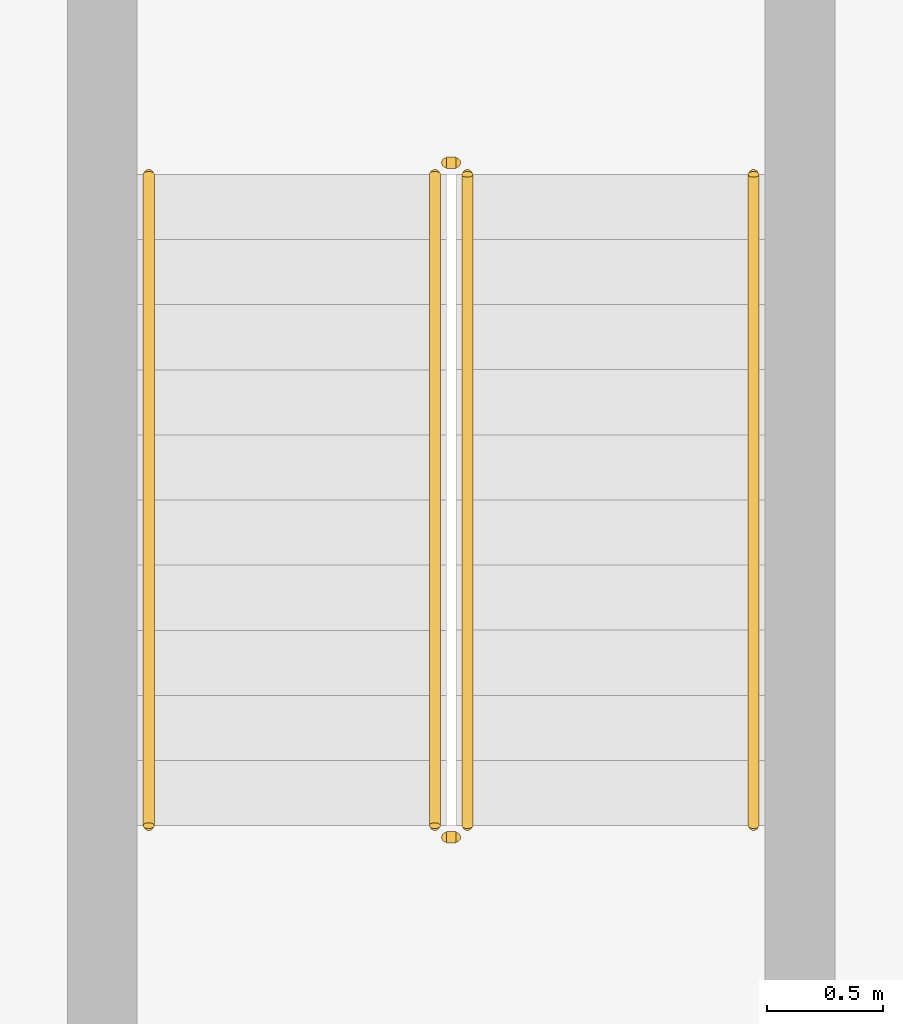
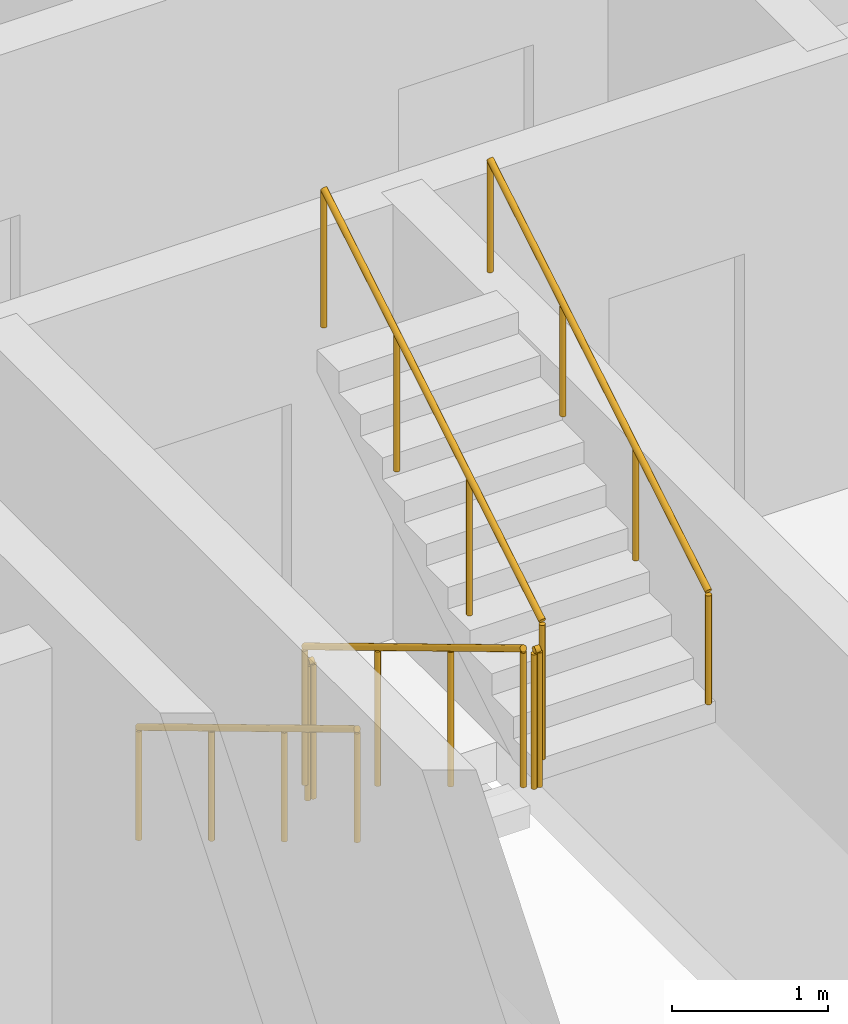
# One storey, part 31 of 36: 6 railings.
"""IFC4 building model written with IfcOpenShell, lengths in metres."""

from ifc_helpers import new_model, si_unit, direction, frame, origin, origin_2d, place, context, subcontext, project, spatial, circle, extrude, material, type_object, element, save


model = new_model("IFC4")

# Units and contexts
model_context = context("Model", 3, precision=1e-05, world=origin(), true_north=direction((0.0, 1.0)))
body_context = subcontext(model_context, "Body", "Model", "MODEL_VIEW")
ifc_project = project(units=[si_unit("LENGTHUNIT", "METRE"), si_unit("AREAUNIT", "SQUARE_METRE"), si_unit("VOLUMEUNIT", "CUBIC_METRE"), si_unit("PLANEANGLEUNIT", "RADIAN"), si_unit("MASSUNIT", "GRAM", prefix="KILO")], contexts=[model_context])

# Site, building, storey
site_placement = place(None, origin())
site = spatial("IfcSite", under=ifc_project, at=site_placement, CompositionType="ELEMENT")
building_placement = place(site_placement, origin())
building = spatial("IfcBuilding", under=site, at=building_placement, Name="Ogive Portal Towers", CompositionType="ELEMENT")
storey_placement = place(building_placement, frame((0.0, 0.0, 63.10009765625)))
storey = spatial("IfcBuildingStorey", under=building, at=storey_placement, Name="L14", CompositionType="ELEMENT", Elevation=63.10009765625)

# Railings
ifc_material_1 = material(Name="Stainless steel balustrade", Category="steel")
railing_type_1 = type_object("IfcRailingType", Name="INT-GUARD", PredefinedType="GUARDRAIL", material=ifc_material_1)
railing_1_placement = place(storey_placement, frame((88.280029296875, 29.169921875, 0.16796875)))
element("IfcRailing", 1, at=railing_1_placement, inside=storey, type_object=railing_type_1, Name="L14 ST-A4 stair guard 1", PredefinedType="GUARDRAIL", context=body_context, shape_type="SweptSolid", body=[
    extrude(circle(Radius=0.02392578125, at=origin_2d()), frame((0.0, 0.0, 1.076171875), z_axis=(0.0, -0.857222391501, 0.514946377315), x_axis=(1.0, 0.0, 0.0)), (0.0, 0.0, 1.0), 3.26611328125),
    extrude(circle(Radius=0.02099609375, at=origin_2d()), origin(), (0.0, 0.0, 1.0), 1.052001953125),
    extrude(circle(Radius=0.02099609375, at=origin_2d()), frame((0.0, -0.933349609375, 0.560546875)), (0.0, 0.0, 1.0), 1.052001953125),
    extrude(circle(Radius=0.02099609375, at=origin_2d()), frame((0.0, -1.866455078125, 1.121337890625)), (0.0, 0.0, 1.0), 1.052001953125),
    extrude(circle(Radius=0.02099609375, at=origin_2d()), frame((0.0, -2.7998046875, 1.681884765625)), (0.0, 0.0, 1.0), 1.052001953125),
])
railing_2_placement = place(storey_placement, frame((88.330078125, 26.320068359375, 1.849853515625)))
element("IfcRailing", 2, at=railing_2_placement, inside=storey, type_object=railing_type_1, Name="L14 ST-A4 stair guard 2", PredefinedType="GUARDRAIL", context=body_context, shape_type="SweptSolid", body=[
    extrude(circle(Radius=0.02392578125, at=origin_2d()), frame((0.0, 0.0, 1.076171875), z_axis=(1.0, 0.0, 0.0), x_axis=(0.0, 1.0, 0.0)), (0.0, 0.0, 1.0), 0.0400390625),
    extrude(circle(Radius=0.02099609375, at=origin_2d()), origin(), (0.0, 0.0, 1.0), 1.052001953125),
    extrude(circle(Radius=0.02099609375, at=origin_2d()), frame((0.0400390625, 0.0, 0.0)), (0.0, 0.0, 1.0), 1.052001953125),
])
railing_3_placement = place(storey_placement, frame((88.419921875, 26.3701171875, 2.01806640625)))
element("IfcRailing", 3, at=railing_3_placement, inside=storey, type_object=railing_type_1, Name="L14 ST-A4 stair guard 3", PredefinedType="GUARDRAIL", context=body_context, shape_type="SweptSolid", body=[
    extrude(circle(Radius=0.02392578125, at=origin_2d()), frame((0.0, 0.0, 1.076171875), z_axis=(0.0, 0.857222391501, 0.514946377315), x_axis=(-1.0, 0.0, 0.0)), (0.0, 0.0, 1.0), 3.26611328125),
    extrude(circle(Radius=0.02099609375, at=origin_2d()), origin(), (0.0, 0.0, 1.0), 1.052001953125),
    extrude(circle(Radius=0.02099609375, at=origin_2d()), frame((0.0, 0.933349609375, 0.560546875)), (0.0, 0.0, 1.0), 1.052001953125),
    extrude(circle(Radius=0.02099609375, at=origin_2d()), frame((0.0, 1.866455078125, 1.121337890625)), (0.0, 0.0, 1.0), 1.052001953125),
    extrude(circle(Radius=0.02099609375, at=origin_2d()), frame((0.0, 2.7998046875, 1.681884765625)), (0.0, 0.0, 1.0), 1.052001953125),
])
railing_4_placement = place(storey_placement, frame((88.330078125, 29.219970703125, 0.0)))
element("IfcRailing", 4, at=railing_4_placement, inside=storey, type_object=railing_type_1, Name="L14 ST-A4 stair guard 4", PredefinedType="GUARDRAIL", context=body_context, shape_type="SweptSolid", body=[
    extrude(circle(Radius=0.02392578125, at=origin_2d()), frame((0.0, 0.0, 1.076171875), z_axis=(1.0, 0.0, 0.0), x_axis=(0.0, 1.0, 0.0)), (0.0, 0.0, 1.0), 0.0400390625),
    extrude(circle(Radius=0.02099609375, at=origin_2d()), origin(), (0.0, 0.0, 1.0), 1.052001953125),
    extrude(circle(Radius=0.02099609375, at=origin_2d()), frame((0.0400390625, 0.0, 0.0)), (0.0, 0.0, 1.0), 1.052001953125),
])
ifc_material_2 = material(Name="Stainless steel handrail", Category="steel")
railing_type_2 = type_object("IfcRailingType", Name="INT-HANDRAIL", PredefinedType="HANDRAIL", material=ifc_material_2)
railing_5_placement = place(storey_placement, frame((87.050048828125, 29.169921875, 0.16796875)))
element("IfcRailing", 5, at=railing_5_placement, inside=storey, type_object=railing_type_2, Name="L14 ST-A4 stair handrail 1", PredefinedType="HANDRAIL", context=body_context, shape_type="SweptSolid", body=[
    extrude(circle(Radius=0.02392578125, at=origin_2d()), frame((0.0, 0.0, 0.8759765625), z_axis=(0.0, -0.857222391501, 0.514946377315), x_axis=(1.0, 0.0, 0.0)), (0.0, 0.0, 1.0), 3.26611328125),
    extrude(circle(Radius=0.02099609375, at=origin_2d()), origin(), (0.0, 0.0, 1.0), 0.851806640625),
    extrude(circle(Radius=0.02099609375, at=origin_2d()), frame((0.0, -0.933349609375, 0.560546875)), (0.0, 0.0, 1.0), 0.851806640625),
    extrude(circle(Radius=0.02099609375, at=origin_2d()), frame((0.0, -1.866455078125, 1.121337890625)), (0.0, 0.0, 1.0), 0.851806640625),
    extrude(circle(Radius=0.02099609375, at=origin_2d()), frame((0.0, -2.7998046875, 1.681884765625)), (0.0, 0.0, 1.0), 0.851806640625),
])
railing_6_placement = place(storey_placement, frame((89.64990234375, 26.3701171875, 2.01806640625)))
element("IfcRailing", 6, at=railing_6_placement, inside=storey, type_object=railing_type_2, Name="L14 ST-A4 stair handrail 2", PredefinedType="HANDRAIL", context=body_context, shape_type="SweptSolid", body=[
    extrude(circle(Radius=0.02392578125, at=origin_2d()), frame((0.0, 0.0, 0.8759765625), z_axis=(0.0, 0.857222391501, 0.514946377315), x_axis=(-1.0, 0.0, 0.0)), (0.0, 0.0, 1.0), 3.26611328125),
    extrude(circle(Radius=0.02099609375, at=origin_2d()), origin(), (0.0, 0.0, 1.0), 0.851806640625),
    extrude(circle(Radius=0.02099609375, at=origin_2d()), frame((0.0, 0.933349609375, 0.560546875)), (0.0, 0.0, 1.0), 0.851806640625),
    extrude(circle(Radius=0.02099609375, at=origin_2d()), frame((0.0, 1.866455078125, 1.121337890625)), (0.0, 0.0, 1.0), 0.851806640625),
    extrude(circle(Radius=0.02099609375, at=origin_2d()), frame((0.0, 2.7998046875, 1.681884765625)), (0.0, 0.0, 1.0), 0.851806640625),
])

save(model, "model.ifc")
